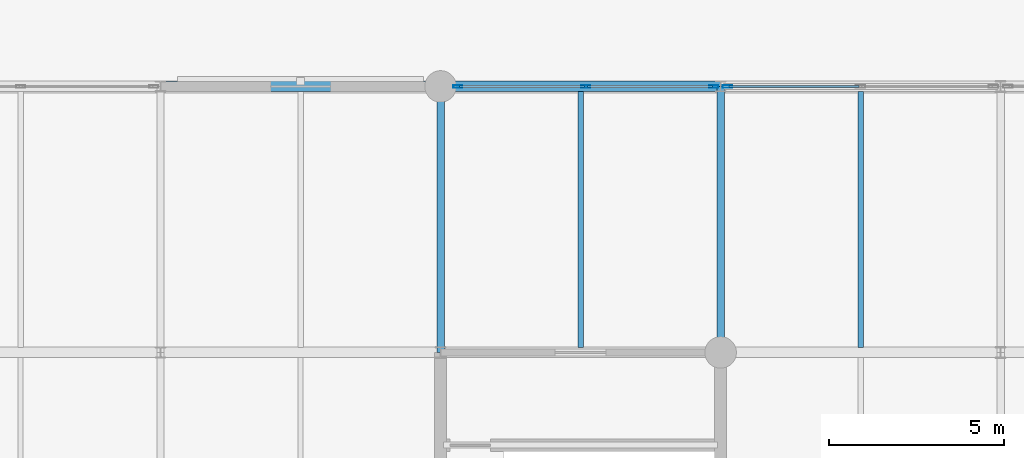
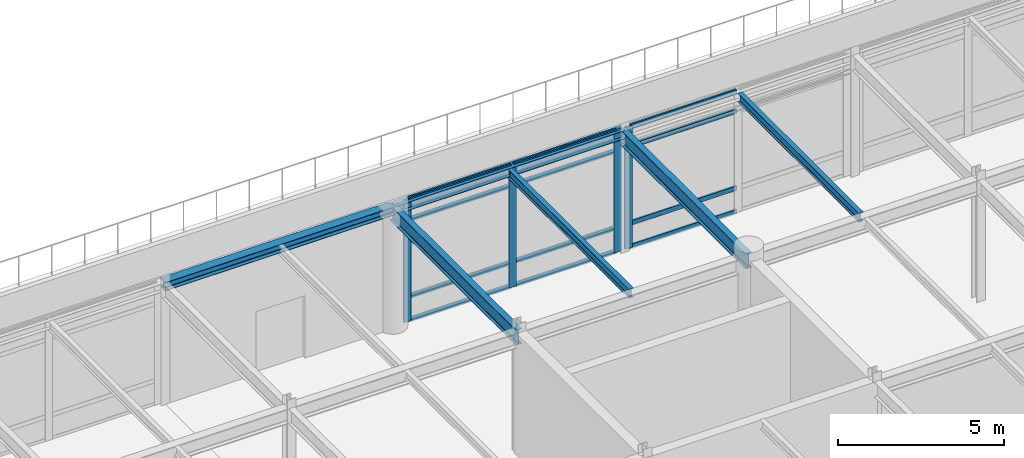
# One storey, part 25 of 43: 16 members, 6 beams, 2 elements without a shape of their own.
"""IFC4 building model written with IfcOpenShell, lengths in metres."""

from ifc_helpers import new_model, si_unit, direction, frame, origin, origin_2d, place, context, subcontext, project, spatial, hollow_rectangle, i_section, extrude, material, layer, layer_set, material_profile, profile_set, type_object, element, aggregate, save


model = new_model("IFC4")

# Units and contexts
model_context = context("Model", 3, precision=1e-05, world=origin(), true_north=direction((0.0, 1.0)))
body_context = subcontext(model_context, "Body", "Model", "MODEL_VIEW")
ifc_project = project(units=[si_unit("LENGTHUNIT", "METRE"), si_unit("AREAUNIT", "SQUARE_METRE"), si_unit("VOLUMEUNIT", "CUBIC_METRE"), si_unit("PLANEANGLEUNIT", "RADIAN"), si_unit("MASSUNIT", "GRAM", prefix="KILO")], contexts=[model_context])

# Site, building, storey
site_placement = place(None, origin())
site = spatial("IfcSite", under=ifc_project, at=site_placement, CompositionType="ELEMENT")
building_placement = place(site_placement, origin())
building = spatial("IfcBuilding", under=site, at=building_placement, Name="Shalkamar Park Central Library", CompositionType="ELEMENT")
storey_placement = place(building_placement, frame((0.0, 0.0, 15.60009765625)))
storey = spatial("IfcBuildingStorey", under=building, at=storey_placement, Name="L04", CompositionType="ELEMENT", Elevation=15.60009765625)

# Beams
ifc_material_1 = material(Name="Steel S355", Category="steel")
ifc_material_profile_1 = material_profile(ifc_material_1, i_section(OverallWidth=0.159912109375, OverallDepth=0.330078125, WebThickness=0.007568359375, FlangeThickness=0.011474609375, FilletRadius=0.01806640625, at=origin_2d()), Name="IPE 330")
ifc_profile_set_1 = profile_set([ifc_material_profile_1], Name="Steel S355")
beam_type_1 = type_object("IfcBeamType", Name="Composite Floor Joist IPE330", PredefinedType="JOIST", material=ifc_profile_set_1)
for number, where, z_axis, x_axis, name in (
    (1, (201.0, 308.548095703125, 4.31494140625), (0.0, 1.0, 0.0), (-1.0, 0.0, 0.0), "Composite Joist 11/K-1 (L04)"),
    (2, (209.0, 308.548095703125, 4.31494140625), (0.0, 1.0, 0.0), (-1.0, 0.0, 0.0), "Composite Joist 12/K-1 (L04)"),
):
    element("IfcBeam", number, at=place(storey_placement, frame(where, z_axis=z_axis, x_axis=x_axis)), inside=storey, type_object=beam_type_1, Name=name, PredefinedType="JOIST", context=body_context, shape_type="SweptSolid", body=[
        extrude(i_section(OverallWidth=0.159912109375, OverallDepth=0.330078125, WebThickness=0.007568359375, FlangeThickness=0.011474609375, FilletRadius=0.01806640625, at=origin_2d()), origin(), (0.0, 0.0, 1.0), 7.303955078125),
    ])

# Curtain wall, members
ifc_material_2 = material(Name="Thermally broken aluminium and triple low-e curtain wall", Category="aluminium")
ifc_layer_1 = layer(ifc_material_2, 0.2548828125)
ifc_layer_set_1 = layer_set([ifc_layer_1], Name="UnitisedCurtainWall_57")
curtain_wall_type_1 = type_object("IfcCurtainWallType", Name="Unitised Curtain Wall 57", PredefinedType="USERDEFINED", material=ifc_layer_set_1)
curtain_wall_1_placement = place(storey_placement, origin())
curtain_wall_1 = element("IfcCurtainWall", 3, at=curtain_wall_1_placement, inside=storey, type_object=curtain_wall_type_1, Name="Unitised Curtain Wall CW-L04-071", ObjectType="UNITISED CURTAIN WALL", PredefinedType="USERDEFINED")
ifc_material_3 = material(Name="Aluminium 6060-T66", Category="aluminium")
ifc_material_profile_2 = material_profile(ifc_material_3, hollow_rectangle(XDim=0.080078125, YDim=0.2548828125, WallThickness=0.00439453125, InnerFilletRadius=0.00439453125, OuterFilletRadius=0.0068359375, at=origin_2d()), Name="ALU 80x255x4.5")
ifc_profile_set_2 = profile_set([ifc_material_profile_2], Name="Aluminium 6060-T66")
member_type_1 = type_object("IfcMemberType", Name="Curtain Wall Mullion ALU80x255", PredefinedType="MULLION", material=ifc_profile_set_2)
member_1_placement = place(storey_placement, frame((197.493896484375, 316.0, 0.0), z_axis=(0.0, 0.0, 1.0), x_axis=(0.0, 1.0, 0.0)))
member_1 = element("IfcMember", 4, at=member_1_placement, type_object=member_type_1, Name="CW-57 mullion 1", PredefinedType="MULLION", context=body_context, shape_type="SweptSolid", body=[
    extrude(hollow_rectangle(XDim=0.080078125, YDim=0.2548828125, WallThickness=0.00439453125, InnerFilletRadius=0.00439453125, OuterFilletRadius=0.0068359375, at=origin_2d()), origin(), (0.0, 0.0, 1.0), 4.47998046875),
])
member_2_placement = place(storey_placement, frame((201.14990234375, 316.0, 0.0), z_axis=(0.0, 0.0, 1.0), x_axis=(0.0, 1.0, 0.0)))
member_2 = element("IfcMember", 5, at=member_2_placement, type_object=member_type_1, Name="CW-57 mullion 2", PredefinedType="MULLION", context=body_context, shape_type="SweptSolid", body=[
    extrude(hollow_rectangle(XDim=0.080078125, YDim=0.2548828125, WallThickness=0.00439453125, InnerFilletRadius=0.00439453125, OuterFilletRadius=0.0068359375, at=origin_2d()), origin(), (0.0, 0.0, 1.0), 4.47998046875),
])
member_3_placement = place(storey_placement, frame((204.805908203125, 316.0, 0.0), z_axis=(0.0, 0.0, 1.0), x_axis=(0.0, 1.0, 0.0)))
member_3 = element("IfcMember", 6, at=member_3_placement, type_object=member_type_1, Name="CW-57 mullion 3", PredefinedType="MULLION", context=body_context, shape_type="SweptSolid", body=[
    extrude(hollow_rectangle(XDim=0.080078125, YDim=0.2548828125, WallThickness=0.00439453125, InnerFilletRadius=0.00439453125, OuterFilletRadius=0.0068359375, at=origin_2d()), origin(), (0.0, 0.0, 1.0), 4.47998046875),
])

# Curtain wall, member
ifc_layer_2 = layer(ifc_material_2, 0.27001953125)
ifc_layer_set_2 = layer_set([ifc_layer_2], Name="UnitisedCurtainWall_58")
curtain_wall_type_2 = type_object("IfcCurtainWallType", Name="Unitised Curtain Wall 58", PredefinedType="USERDEFINED", material=ifc_layer_set_2)
curtain_wall_2_placement = place(storey_placement, origin())
curtain_wall_2 = element("IfcCurtainWall", 7, at=curtain_wall_2_placement, inside=storey, type_object=curtain_wall_type_2, Name="Unitised Curtain Wall CW-L04-072", ObjectType="UNITISED CURTAIN WALL", PredefinedType="USERDEFINED")
ifc_material_profile_3 = material_profile(ifc_material_3, hollow_rectangle(XDim=0.080078125, YDim=0.27001953125, WallThickness=0.0048828125, InnerFilletRadius=0.0048828125, OuterFilletRadius=0.007568359375, at=origin_2d()), Name="ALU 80x270x5")
ifc_profile_set_3 = profile_set([ifc_material_profile_3], Name="Aluminium 6060-T66")
member_type_2 = type_object("IfcMemberType", Name="Curtain Wall Mullion ALU80x270", PredefinedType="MULLION", material=ifc_profile_set_3)
member_4_placement = place(storey_placement, frame((205.194091796875, 316.0, 0.0), z_axis=(0.0, 0.0, 1.0), x_axis=(0.0, 1.0, 0.0)))
member_4 = element("IfcMember", 8, at=member_4_placement, type_object=member_type_2, Name="CW-58 mullion 1", PredefinedType="MULLION", context=body_context, shape_type="SweptSolid", body=[
    extrude(hollow_rectangle(XDim=0.080078125, YDim=0.27001953125, WallThickness=0.0048828125, InnerFilletRadius=0.0048828125, OuterFilletRadius=0.007568359375, at=origin_2d()), origin(), (0.0, 0.0, 1.0), 4.47998046875),
])

# Member
ifc_material_profile_4 = material_profile(ifc_material_3, hollow_rectangle(XDim=0.06494140625, YDim=0.169921875, WallThickness=0.00390625, InnerFilletRadius=0.00390625, OuterFilletRadius=0.006103515625, at=origin_2d()), Name="ALU 65x170x4")
ifc_profile_set_4 = profile_set([ifc_material_profile_4], Name="Aluminium 6060-T66")
member_type_3 = type_object("IfcMemberType", Name="Curtain Wall Transom ALU65x170", PredefinedType="USERDEFINED", material=ifc_profile_set_4)
member_5_placement = place(storey_placement, frame((197.533935546875, 316.0, 0.032470703125), z_axis=(1.0, 0.0, 0.0), x_axis=(0.0, 1.0, 0.0)))
member_5 = element("IfcMember", 9, at=member_5_placement, type_object=member_type_3, Name="CW-57 transom 1.1", ObjectType="TRANSOM", PredefinedType="USERDEFINED", context=body_context, shape_type="SweptSolid", body=[
    extrude(hollow_rectangle(XDim=0.06494140625, YDim=0.169921875, WallThickness=0.00390625, InnerFilletRadius=0.00390625, OuterFilletRadius=0.006103515625, at=origin_2d()), origin(), (0.0, 0.0, 1.0), 3.576171875),
])

member_6_placement = place(storey_placement, frame((197.533935546875, 316.0, 0.89990234375), z_axis=(1.0, 0.0, 0.0), x_axis=(0.0, 1.0, 0.0)))
member_6 = element("IfcMember", 10, at=member_6_placement, type_object=member_type_3, Name="CW-57 transom 1.2", ObjectType="TRANSOM", PredefinedType="USERDEFINED", context=body_context, shape_type="SweptSolid", body=[
    extrude(hollow_rectangle(XDim=0.06494140625, YDim=0.169921875, WallThickness=0.00390625, InnerFilletRadius=0.00390625, OuterFilletRadius=0.006103515625, at=origin_2d()), origin(), (0.0, 0.0, 1.0), 3.576171875),
])

member_7_placement = place(storey_placement, frame((197.533935546875, 316.0, 3.72998046875), z_axis=(1.0, 0.0, 0.0), x_axis=(0.0, 1.0, 0.0)))
member_7 = element("IfcMember", 11, at=member_7_placement, type_object=member_type_3, Name="CW-57 transom 1.3", ObjectType="TRANSOM", PredefinedType="USERDEFINED", context=body_context, shape_type="SweptSolid", body=[
    extrude(hollow_rectangle(XDim=0.06494140625, YDim=0.169921875, WallThickness=0.00390625, InnerFilletRadius=0.00390625, OuterFilletRadius=0.006103515625, at=origin_2d()), origin(), (0.0, 0.0, 1.0), 3.576171875),
])

member_8_placement = place(storey_placement, frame((197.533935546875, 316.0, 4.447509765625), z_axis=(1.0, 0.0, 0.0), x_axis=(0.0, 1.0, 0.0)))
member_8 = element("IfcMember", 12, at=member_8_placement, type_object=member_type_3, Name="CW-57 transom 1.4", ObjectType="TRANSOM", PredefinedType="USERDEFINED", context=body_context, shape_type="SweptSolid", body=[
    extrude(hollow_rectangle(XDim=0.06494140625, YDim=0.169921875, WallThickness=0.00390625, InnerFilletRadius=0.00390625, OuterFilletRadius=0.006103515625, at=origin_2d()), origin(), (0.0, 0.0, 1.0), 3.576171875),
])

member_9_placement = place(storey_placement, frame((201.18994140625, 316.0, 0.032470703125), z_axis=(1.0, 0.0, 0.0), x_axis=(0.0, 1.0, 0.0)))
member_9 = element("IfcMember", 13, at=member_9_placement, type_object=member_type_3, Name="CW-57 transom 2.1", ObjectType="TRANSOM", PredefinedType="USERDEFINED", context=body_context, shape_type="SweptSolid", body=[
    extrude(hollow_rectangle(XDim=0.06494140625, YDim=0.169921875, WallThickness=0.00390625, InnerFilletRadius=0.00390625, OuterFilletRadius=0.006103515625, at=origin_2d()), origin(), (0.0, 0.0, 1.0), 3.576171875),
])

member_10_placement = place(storey_placement, frame((201.18994140625, 316.0, 0.89990234375), z_axis=(1.0, 0.0, 0.0), x_axis=(0.0, 1.0, 0.0)))
member_10 = element("IfcMember", 14, at=member_10_placement, type_object=member_type_3, Name="CW-57 transom 2.2", ObjectType="TRANSOM", PredefinedType="USERDEFINED", context=body_context, shape_type="SweptSolid", body=[
    extrude(hollow_rectangle(XDim=0.06494140625, YDim=0.169921875, WallThickness=0.00390625, InnerFilletRadius=0.00390625, OuterFilletRadius=0.006103515625, at=origin_2d()), origin(), (0.0, 0.0, 1.0), 3.576171875),
])

member_11_placement = place(storey_placement, frame((201.18994140625, 316.0, 3.72998046875), z_axis=(1.0, 0.0, 0.0), x_axis=(0.0, 1.0, 0.0)))
member_11 = element("IfcMember", 15, at=member_11_placement, type_object=member_type_3, Name="CW-57 transom 2.3", ObjectType="TRANSOM", PredefinedType="USERDEFINED", context=body_context, shape_type="SweptSolid", body=[
    extrude(hollow_rectangle(XDim=0.06494140625, YDim=0.169921875, WallThickness=0.00390625, InnerFilletRadius=0.00390625, OuterFilletRadius=0.006103515625, at=origin_2d()), origin(), (0.0, 0.0, 1.0), 3.576171875),
])

member_12_placement = place(storey_placement, frame((201.18994140625, 316.0, 4.447509765625), z_axis=(1.0, 0.0, 0.0), x_axis=(0.0, 1.0, 0.0)))
member_12 = element("IfcMember", 16, at=member_12_placement, type_object=member_type_3, Name="CW-57 transom 2.4", ObjectType="TRANSOM", PredefinedType="USERDEFINED", context=body_context, shape_type="SweptSolid", body=[
    extrude(hollow_rectangle(XDim=0.06494140625, YDim=0.169921875, WallThickness=0.00390625, InnerFilletRadius=0.00390625, OuterFilletRadius=0.006103515625, at=origin_2d()), origin(), (0.0, 0.0, 1.0), 3.576171875),
])

aggregate(curtain_wall_1, [member_1, member_2, member_3, member_5, member_6, member_7, member_8, member_9, member_10, member_11, member_12])

ifc_material_profile_5 = material_profile(ifc_material_3, hollow_rectangle(XDim=0.06494140625, YDim=0.175048828125, WallThickness=0.00439453125, InnerFilletRadius=0.00439453125, OuterFilletRadius=0.0068359375, at=origin_2d()), Name="ALU 65x175x4.5")
ifc_profile_set_5 = profile_set([ifc_material_profile_5], Name="Aluminium 6060-T66")
member_type_4 = type_object("IfcMemberType", Name="Curtain Wall Transom ALU65x175", PredefinedType="USERDEFINED", material=ifc_profile_set_5)
member_13_placement = place(storey_placement, frame((205.23388671875, 316.0, 0.032470703125), z_axis=(1.0, 0.0, 0.0), x_axis=(0.0, 1.0, 0.0)))
member_13 = element("IfcMember", 17, at=member_13_placement, type_object=member_type_4, Name="CW-58 transom 1.1", ObjectType="TRANSOM", PredefinedType="USERDEFINED", context=body_context, shape_type="SweptSolid", body=[
    extrude(hollow_rectangle(XDim=0.06494140625, YDim=0.175048828125, WallThickness=0.00439453125, InnerFilletRadius=0.00439453125, OuterFilletRadius=0.0068359375, at=origin_2d()), origin(), (0.0, 0.0, 1.0), 3.72119140625),
])

member_14_placement = place(storey_placement, frame((205.23388671875, 316.0, 0.89990234375), z_axis=(1.0, 0.0, 0.0), x_axis=(0.0, 1.0, 0.0)))
member_14 = element("IfcMember", 18, at=member_14_placement, type_object=member_type_4, Name="CW-58 transom 1.2", ObjectType="TRANSOM", PredefinedType="USERDEFINED", context=body_context, shape_type="SweptSolid", body=[
    extrude(hollow_rectangle(XDim=0.06494140625, YDim=0.175048828125, WallThickness=0.00439453125, InnerFilletRadius=0.00439453125, OuterFilletRadius=0.0068359375, at=origin_2d()), origin(), (0.0, 0.0, 1.0), 3.72119140625),
])

member_15_placement = place(storey_placement, frame((205.23388671875, 316.0, 3.72998046875), z_axis=(1.0, 0.0, 0.0), x_axis=(0.0, 1.0, 0.0)))
member_15 = element("IfcMember", 19, at=member_15_placement, type_object=member_type_4, Name="CW-58 transom 1.3", ObjectType="TRANSOM", PredefinedType="USERDEFINED", context=body_context, shape_type="SweptSolid", body=[
    extrude(hollow_rectangle(XDim=0.06494140625, YDim=0.175048828125, WallThickness=0.00439453125, InnerFilletRadius=0.00439453125, OuterFilletRadius=0.0068359375, at=origin_2d()), origin(), (0.0, 0.0, 1.0), 3.72119140625),
])

member_16_placement = place(storey_placement, frame((205.23388671875, 316.0, 4.447509765625), z_axis=(1.0, 0.0, 0.0), x_axis=(0.0, 1.0, 0.0)))
member_16 = element("IfcMember", 20, at=member_16_placement, type_object=member_type_4, Name="CW-58 transom 1.4", ObjectType="TRANSOM", PredefinedType="USERDEFINED", context=body_context, shape_type="SweptSolid", body=[
    extrude(hollow_rectangle(XDim=0.06494140625, YDim=0.175048828125, WallThickness=0.00439453125, InnerFilletRadius=0.00439453125, OuterFilletRadius=0.0068359375, at=origin_2d()), origin(), (0.0, 0.0, 1.0), 3.72119140625),
])

aggregate(curtain_wall_2, [member_4, member_13, member_14, member_15, member_16])

# Beams
ifc_material_profile_6 = material_profile(ifc_material_1, i_section(OverallWidth=0.300048828125, OverallDepth=0.31005859375, WebThickness=0.009033203125, FlangeThickness=0.015380859375, FilletRadius=0.027099609375, at=origin_2d()), Name="HEA 320")
ifc_profile_set_6 = profile_set([ifc_material_profile_6], Name="Steel S355")
beam_type_2 = type_object("IfcBeamType", Name="Perimeter Spandrel Beam HEA320", PredefinedType="SPANDREL", material=ifc_profile_set_6)
for number, where, z_axis, x_axis, name in (
    (21, (189.0, 316.0, 4.324951171875), (1.0, 0.0, 0.0), (0.0, 1.0, 0.0), "Beam L:10-11 (L04)"),
    (22, (197.0, 316.0, 4.324951171875), (1.0, 0.0, 0.0), (0.0, 1.0, 0.0), "Beam L:11-12 (L04)"),
):
    element("IfcBeam", number, at=place(storey_placement, frame(where, z_axis=z_axis, x_axis=x_axis)), inside=storey, type_object=beam_type_2, Name=name, PredefinedType="SPANDREL", context=body_context, shape_type="SweptSolid", body=[
        extrude(i_section(OverallWidth=0.300048828125, OverallDepth=0.31005859375, WebThickness=0.009033203125, FlangeThickness=0.015380859375, FilletRadius=0.027099609375, at=origin_2d()), origin(), (0.0, 0.0, 1.0), 8.0),
    ])
ifc_material_profile_7 = material_profile(ifc_material_1, i_section(OverallWidth=0.2099609375, OverallDepth=0.550048828125, WebThickness=0.010986328125, FlangeThickness=0.01708984375, FilletRadius=0.02392578125, at=origin_2d()), Name="IPE 550")
ifc_profile_set_7 = profile_set([ifc_material_profile_7], Name="Steel S355")
beam_type_3 = type_object("IfcBeamType", Name="Primary Girder IPE550", PredefinedType="BEAM", material=ifc_profile_set_7)
for number, where, z_axis, x_axis, name in (
    (23, (197.0, 308.39990234375, 4.204833984375), (0.0, 1.0, 0.0), (-1.0, 0.0, 0.0), "Beam 11:K-L (L04)"),
    (24, (205.0, 308.39990234375, 4.204833984375), (0.0, 1.0, 0.0), (-1.0, 0.0, 0.0), "Beam 12:K-L (L04)"),
):
    element("IfcBeam", number, at=place(storey_placement, frame(where, z_axis=z_axis, x_axis=x_axis)), inside=storey, type_object=beam_type_3, Name=name, PredefinedType="BEAM", context=body_context, shape_type="SweptSolid", body=[
        extrude(i_section(OverallWidth=0.2099609375, OverallDepth=0.550048828125, WebThickness=0.010986328125, FlangeThickness=0.01708984375, FilletRadius=0.02392578125, at=origin_2d()), origin(), (0.0, 0.0, 1.0), 7.60009765625),
    ])

save(model, "model.ifc")
